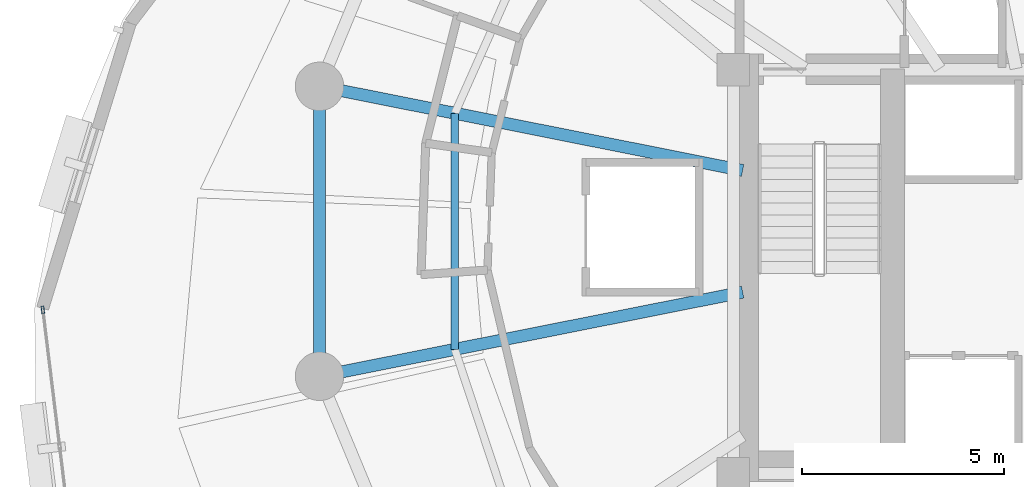
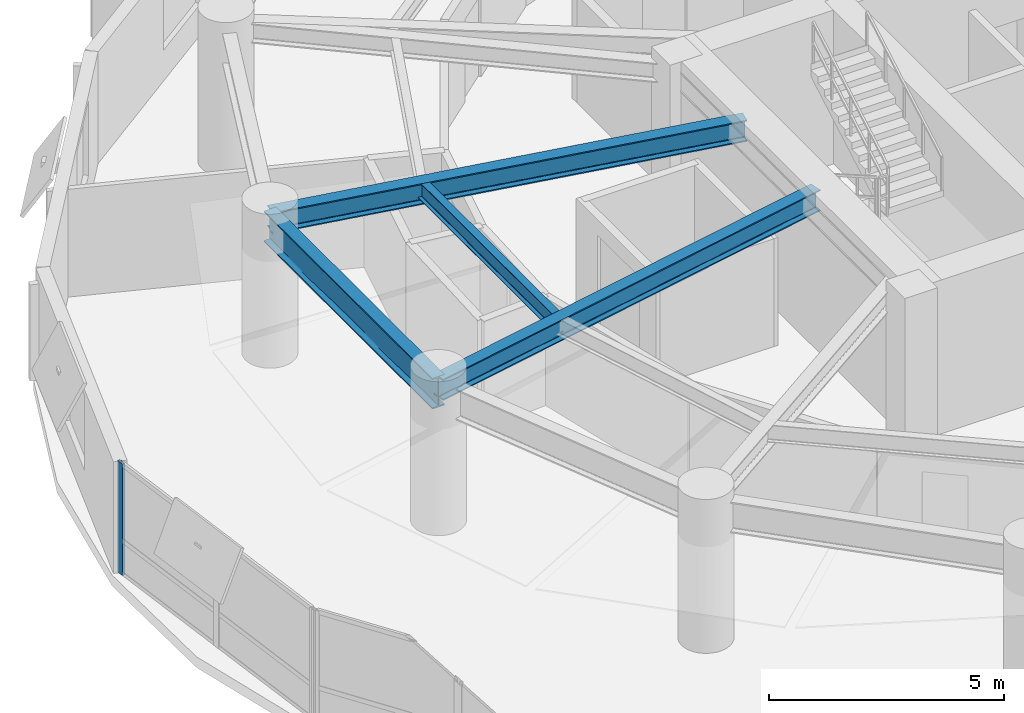
# One storey, part 4 of 15: 4 beams, 1 member, 1 element without a shape of its own.
"""IFC4 building model written with IfcOpenShell, lengths in metres."""

from ifc_helpers import new_model, si_unit, direction, frame, origin, origin_2d, place, context, subcontext, project, spatial, hollow_rectangle, i_section, extrude, material, layer, layer_set, material_profile, profile_set, type_object, element, aggregate, save


model = new_model("IFC4")

# Units and contexts
model_context = context("Model", 3, precision=1e-05, world=origin(), true_north=direction((0.0, 1.0)))
body_context = subcontext(model_context, "Body", "Model", "MODEL_VIEW")
ifc_project = project(units=[si_unit("LENGTHUNIT", "METRE"), si_unit("AREAUNIT", "SQUARE_METRE"), si_unit("VOLUMEUNIT", "CUBIC_METRE"), si_unit("PLANEANGLEUNIT", "RADIAN"), si_unit("MASSUNIT", "GRAM", prefix="KILO"), si_unit("THERMODYNAMICTEMPERATUREUNIT", "KELVIN"), si_unit("POWERUNIT", "WATT")], contexts=[model_context])

# Site, building, storey
site_placement = place(None, origin())
site = spatial("IfcSite", under=ifc_project, at=site_placement, CompositionType="ELEMENT")
building_placement = place(site_placement, origin())
building = spatial("IfcBuilding", under=site, at=building_placement, Name="Ocrelia Relay Tower", CompositionType="ELEMENT")
storey_placement = place(building_placement, frame((0.0, 0.0, 117.800048828125)))
storey = spatial("IfcBuildingStorey", under=building, at=storey_placement, Name="L27", CompositionType="ELEMENT", Elevation=117.800048828125)

# Beams
ifc_material_1 = material(Name="Steel S355", Category="steel")
ifc_material_profile_1 = material_profile(ifc_material_1, i_section(OverallWidth=0.300048828125, OverallDepth=0.550048828125, WebThickness=0.014892578125, FlangeThickness=0.029052734375, FilletRadius=0.027099609375, at=origin_2d()), Name="HEB 550")
ifc_profile_set_1 = profile_set([ifc_material_profile_1], Name="Steel S355")
beam_type_1 = type_object("IfcBeamType", Name="BM-HEB550", PredefinedType="BEAM", material=ifc_profile_set_1)
for number, where, z_axis, x_axis, name in (
    (1, (15.95361328125, 29.589599609375, 3.445068359375), (0.980787592082, -0.195078700063, 0.0), (0.195078700063, 0.980787592082, 0.0), "L27 Radial Floor Girder R08"),
    (2, (15.95361328125, 22.410400390625, 3.445068359375), (0.980787592082, 0.195078700063, 0.0), (-0.195078700063, 0.980787592082, 0.0), "L27 Radial Floor Girder R09"),
):
    element("IfcBeam", number, at=place(storey_placement, frame(where, z_axis=z_axis, x_axis=x_axis)), inside=storey, type_object=beam_type_1, Name=name, PredefinedType="BEAM", context=body_context, shape_type="SweptSolid", body=[
        extrude(i_section(OverallWidth=0.300048828125, OverallDepth=0.550048828125, WebThickness=0.014892578125, FlangeThickness=0.029052734375, FilletRadius=0.027099609375, at=origin_2d()), origin(), (0.0, 0.0, 1.0), 10.681640625),
    ])
ifc_material_profile_2 = material_profile(ifc_material_1, i_section(OverallWidth=0.300048828125, OverallDepth=0.800048828125, WebThickness=0.017578125, FlangeThickness=0.032958984375, FilletRadius=0.030029296875, at=origin_2d()), Name="HEB 800")
ifc_profile_set_2 = profile_set([ifc_material_profile_2], Name="Steel S355")
beam_type_2 = type_object("IfcBeamType", Name="BM-HEB800", PredefinedType="BEAM", material=ifc_profile_set_2)
beam_1_placement = place(storey_placement, frame((15.95361328125, 29.589599609375, 3.320068359375), z_axis=(0.0, -1.0, 0.0), x_axis=(1.0, 0.0, 0.0)))
element("IfcBeam", 3, at=beam_1_placement, inside=storey, type_object=beam_type_2, Name="L27 Perimeter Spandrel Beam S08", PredefinedType="BEAM", context=body_context, shape_type="SweptSolid", body=[
    extrude(i_section(OverallWidth=0.300048828125, OverallDepth=0.800048828125, WebThickness=0.017578125, FlangeThickness=0.032958984375, FilletRadius=0.030029296875, at=origin_2d()), origin(), (0.0, 0.0, 1.0), 7.17919921875),
])
ifc_material_profile_3 = material_profile(ifc_material_1, i_section(OverallWidth=0.18994140625, OverallDepth=0.449951171875, WebThickness=0.009521484375, FlangeThickness=0.0146484375, FilletRadius=0.02099609375, at=origin_2d()), Name="IPE 450")
ifc_profile_set_3 = profile_set([ifc_material_profile_3], Name="Steel S355")
beam_type_3 = type_object("IfcBeamType", Name="BM-IPE450", PredefinedType="JOIST", material=ifc_profile_set_3)
beam_2_placement = place(storey_placement, frame((19.305908203125, 28.9228515625, 3.494873046875), z_axis=(0.0, -1.0, 0.0), x_axis=(1.0, 0.0, 0.0)))
element("IfcBeam", 4, at=beam_2_placement, inside=storey, type_object=beam_type_3, Name="L27 Secondary Floor Joist J08", PredefinedType="JOIST", context=body_context, shape_type="SweptSolid", body=[
    extrude(i_section(OverallWidth=0.18994140625, OverallDepth=0.449951171875, WebThickness=0.009521484375, FlangeThickness=0.0146484375, FilletRadius=0.02099609375, at=origin_2d()), origin(), (0.0, 0.0, 1.0), 5.845703125),
])

# Curtain wall, member
ifc_material_2 = material(Name="Aluminium and solar-control low-E glass", Category="aluminium")
ifc_layer = layer(ifc_material_2, 0.179931640625, Name="Aluminium and solar-control low-E glass")
ifc_layer_set = layer_set([ifc_layer], Name="Aluminium and solar-control low-E glass")
curtain_wall_type = type_object("IfcCurtainWallType", Name="CW-SYS-Z2-SWIT", PredefinedType="NOTDEFINED", material=ifc_layer_set)
curtain_wall_placement = place(storey_placement, origin())
curtain_wall = element("IfcCurtainWall", 5, at=curtain_wall_placement, inside=storey, type_object=curtain_wall_type, Name="L27 Elliptical Tower Curtain Wall Bay 09", PredefinedType="NOTDEFINED")
ifc_material_3 = material(Name="Anodised bronze aluminium", Category="aluminium")
ifc_material_profile_4 = material_profile(ifc_material_3, hollow_rectangle(XDim=0.070068359375, YDim=0.179931640625, WallThickness=0.006103515625, at=origin_2d()), Name="CW-MUL-180x70")
ifc_profile_set_4 = profile_set([ifc_material_profile_4], Name="Anodised bronze aluminium")
member_type = type_object("IfcMemberType", Name="CW-SYS-Z2-SWIT-MUL", PredefinedType="MULLION", material=ifc_profile_set_4)
member_placement = place(storey_placement, frame((9.1044921875, 24.05859375, 0.0), z_axis=(0.0, 0.0, 1.0), x_axis=(0.992588034957, 0.121527745226, 0.0)))
member = element("IfcMember", 6, at=member_placement, type_object=member_type, Name="CW-Z2 mullion 1", PredefinedType="MULLION", context=body_context, shape_type="SweptSolid", body=[
    extrude(hollow_rectangle(XDim=0.070068359375, YDim=0.179931640625, WallThickness=0.006103515625, at=origin_2d()), origin(), (0.0, 0.0, 1.0), 2.89990234375),
])
aggregate(curtain_wall, [member])

save(model, "model.ifc")
